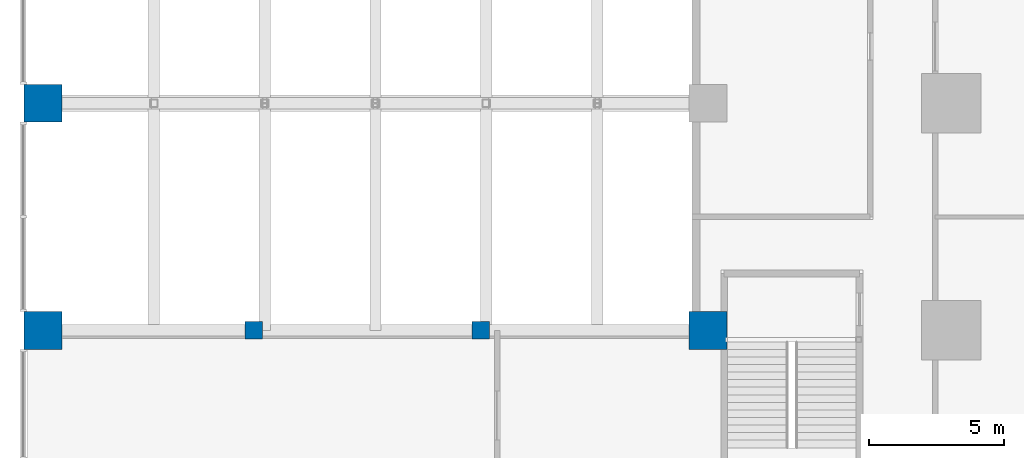
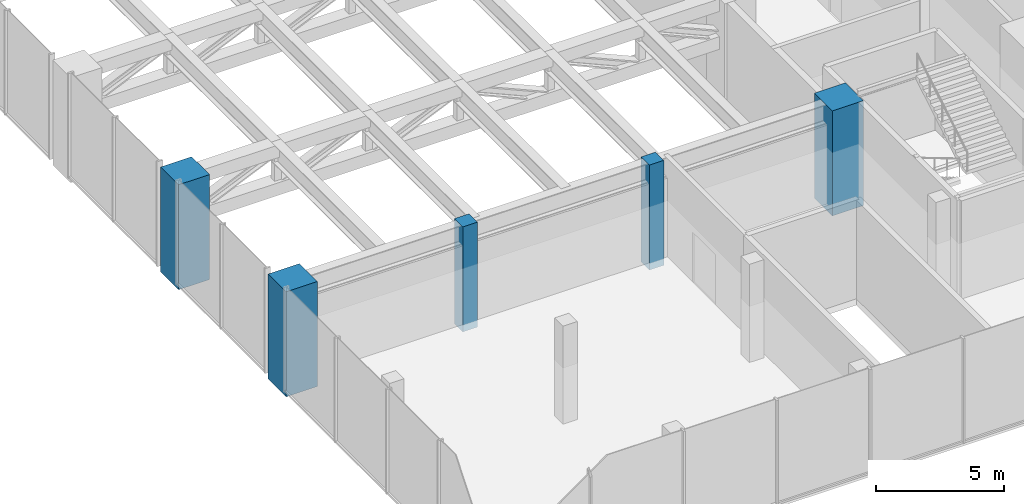
# One storey, part 3 of 33: 5 columns.
"""IFC4 building model written with IfcOpenShell, lengths in metres."""

from ifc_helpers import new_model, si_unit, direction, frame, origin, origin_2d, place, context, subcontext, project, spatial, rectangle, extrude, material, material_profile, profile_set, type_object, element, save


model = new_model("IFC4")

# Units and contexts
model_context = context("Model", 3, precision=1e-05, world=origin(), true_north=direction((0.0, 1.0)))
body_context = subcontext(model_context, "Body", "Model", "MODEL_VIEW")
ifc_project = project(units=[si_unit("LENGTHUNIT", "METRE"), si_unit("AREAUNIT", "SQUARE_METRE"), si_unit("VOLUMEUNIT", "CUBIC_METRE"), si_unit("PLANEANGLEUNIT", "RADIAN"), si_unit("MASSUNIT", "GRAM", prefix="KILO")], contexts=[model_context])

# Site, building, storey
site_placement = place(None, origin())
site = spatial("IfcSite", under=ifc_project, at=site_placement, CompositionType="ELEMENT")
building_placement = place(site_placement, origin())
building = spatial("IfcBuilding", under=site, at=building_placement, Name="Dunama Terrace Hotel", CompositionType="ELEMENT")
storey_placement = place(building_placement, frame((0.0, 0.0, 12.0)))
storey = spatial("IfcBuildingStorey", under=building, at=storey_placement, Name="L02", CompositionType="ELEMENT", Elevation=12.0)

# Columns
ifc_material_1 = material(Name="Concrete C50/60", Category="concrete")
ifc_material_profile_1 = material_profile(ifc_material_1, rectangle(XDim=1.39990234375, YDim=1.39990234375, at=origin_2d()), Name="RC 1400x1400")
ifc_profile_set_1 = profile_set([ifc_material_profile_1], Name="Concrete C50/60")
column_type_1 = type_object("IfcColumnType", Name="Column RC 1400x1400", PredefinedType="COLUMN", material=ifc_profile_set_1)
for number, where, z_axis, x_axis, name in (
    (1, (-33.0, 8.39990234375, -0.300048828125), (0.0, 0.0, 1.0), (1.0, 0.0, 0.0), "Column L02 -33.0/+8.4"),
    (2, (-33.0, 16.800048828125, -0.300048828125), (0.0, 0.0, 1.0), (1.0, 0.0, 0.0), "Column L02 -33.0/+16.8"),
    (3, (-8.39990234375, 8.39990234375, -0.300048828125), (0.0, 0.0, 1.0), (1.0, 0.0, 0.0), "Column L02 -8.4/+8.4"),
):
    element("IfcColumn", number, at=place(storey_placement, frame(where, z_axis=z_axis, x_axis=x_axis)), inside=storey, type_object=column_type_1, Name=name, PredefinedType="COLUMN", context=body_context, shape_type="SweptSolid", body=[
        extrude(rectangle(XDim=1.39990234375, YDim=1.39990234375, at=origin_2d()), origin(), (0.0, 0.0, 1.0), 5.0),
    ])
ifc_material_2 = material(Name="Concrete C40/50", Category="concrete")
ifc_material_profile_2 = material_profile(ifc_material_2, rectangle(XDim=0.64990234375, YDim=0.64990234375, at=origin_2d()), Name="RC 650x650")
ifc_profile_set_2 = profile_set([ifc_material_profile_2], Name="Concrete C40/50")
column_type_2 = type_object("IfcColumnType", Name="Column RC 650x650", PredefinedType="COLUMN", material=ifc_profile_set_2)
for number, where, z_axis, x_axis, name in (
    (4, (-25.199951171875, 8.39990234375, -0.300048828125), (0.0, 0.0, 1.0), (1.0, 0.0, 0.0), "Column L02 -25.2/+8.4"),
    (5, (-16.800048828125, 8.39990234375, -0.300048828125), (0.0, 0.0, 1.0), (1.0, 0.0, 0.0), "Column L02 -16.8/+8.4"),
):
    element("IfcColumn", number, at=place(storey_placement, frame(where, z_axis=z_axis, x_axis=x_axis)), inside=storey, type_object=column_type_2, Name=name, PredefinedType="COLUMN", context=body_context, shape_type="SweptSolid", body=[
        extrude(rectangle(XDim=0.64990234375, YDim=0.64990234375, at=origin_2d()), origin(), (0.0, 0.0, 1.0), 5.0),
    ])

save(model, "model.ifc")
